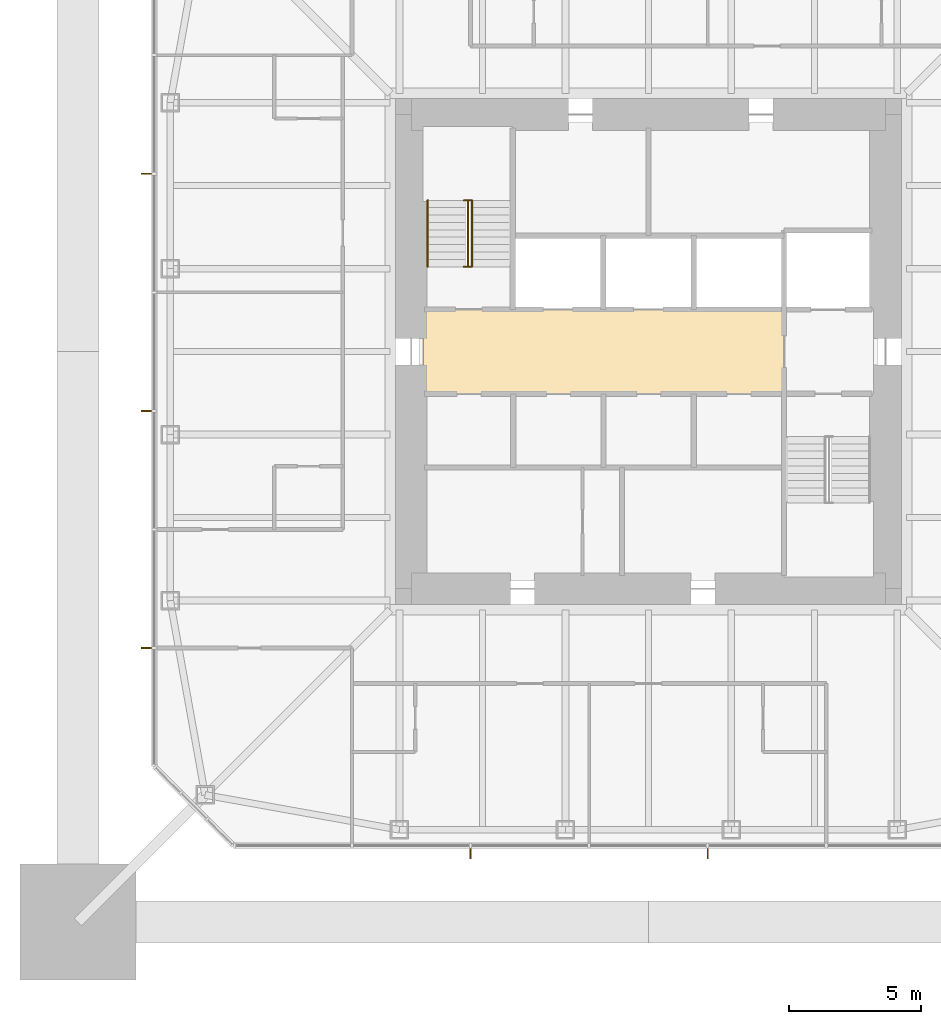
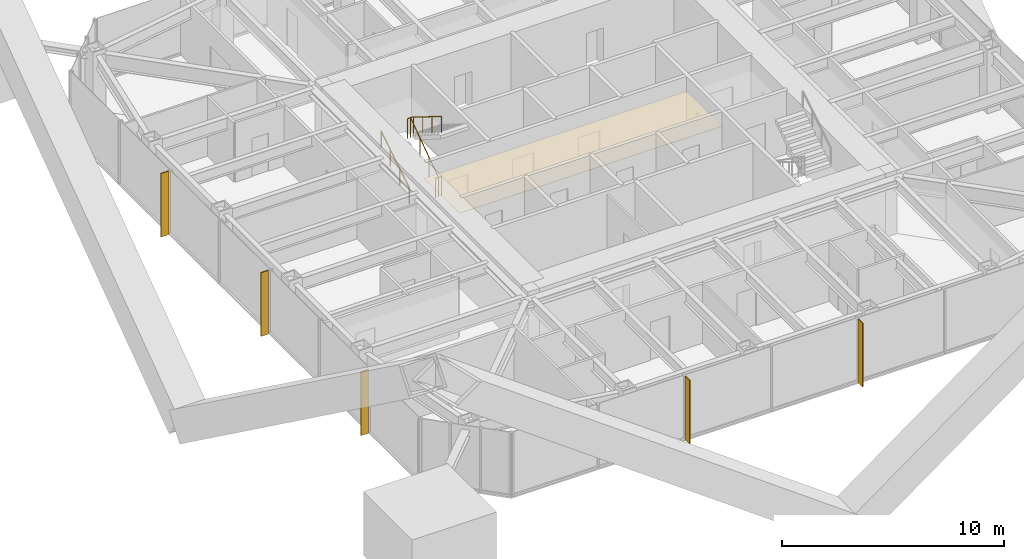
# One storey, part 11 of 13: 5 shading devices, 3 railings, 1 covering.
"""IFC4 building model written with IfcOpenShell, lengths in metres."""

from ifc_helpers import new_model, si_unit, direction, frame, origin, origin_2d, place, context, subcontext, project, spatial, polyline, rectangle, circle, outline, extrude, material, layer, layer_set, constituent, constituent_set, type_object, element, save


model = new_model("IFC4")

# Units and contexts
model_context = context("Model", 3, precision=1e-05, world=origin(), true_north=direction((0.0, 1.0)))
body_context = subcontext(model_context, "Body", "Model", "MODEL_VIEW")
ifc_project = project(units=[si_unit("LENGTHUNIT", "METRE"), si_unit("AREAUNIT", "SQUARE_METRE"), si_unit("VOLUMEUNIT", "CUBIC_METRE"), si_unit("PLANEANGLEUNIT", "RADIAN"), si_unit("MASSUNIT", "GRAM", prefix="KILO")], contexts=[model_context])

# Site, building, storey
site_placement = place(None, origin())
site = spatial("IfcSite", under=ifc_project, at=site_placement, CompositionType="ELEMENT")
building_placement = place(site_placement, origin())
building = spatial("IfcBuilding", under=site, at=building_placement, Name="Iwan Alto Co-Living Towers", CompositionType="ELEMENT")
storey_placement = place(building_placement, frame((0.0, 0.0, 198.5)))
storey = spatial("IfcBuildingStorey", under=building, at=storey_placement, Name="L54", CompositionType="ELEMENT", Elevation=198.5)

# Covering
ifc_material_1 = material(Name="Mineral fibre acoustic tiles on steel grid", Category="steel")
ifc_layer_1 = layer(ifc_material_1, 0.02001953125)
ifc_layer_set_1 = layer_set([ifc_layer_1], Name="ACOUSTIC TILE CEILING 20")
covering_type = type_object("IfcCoveringType", Name="ACOUSTIC TILE CEILING 20", PredefinedType="CEILING", material=ifc_layer_set_1)
covering_placement = place(storey_placement, frame((0.0, 0.0, 2.60009765625)))
element("IfcCovering", 1, at=covering_placement, inside=storey, type_object=covering_type, Name="Ceiling Lift lobby L54", PredefinedType="CEILING", context=body_context, shape_type="SweptSolid", body=[
    extrude(outline(polyline([(-8.550048828125, -1.60009765625), (-8.550048828125, 1.60009765625), (5.14990234375, 1.60009765625), (5.14990234375, -1.60009765625), (-8.550048828125, -1.60009765625)])), origin(), (0.0, 0.0, 1.0), 0.02001953125),
])

# Shading devices
ifc_material_2 = material(Name="Aluminium 6063-T6 bronze anodised", Category="aluminium")
ifc_layer_2 = layer(ifc_material_2, 0.050048828125)
ifc_layer_set_2 = layer_set([ifc_layer_2], Name="BRONZE FIN 50X400")
shading_device_type = type_object("IfcShadingDeviceType", Name="BRONZE FIN 50X400", PredefinedType="USERDEFINED", material=ifc_layer_set_2)
for number, where, z_axis, x_axis, name in (
    (2, (-6.75, -19.050048828125, 0.0), (0.0, 0.0, 1.0), (1.0, 0.0, 0.0), "Bronze fin L54"),
    (3, (2.25, -19.050048828125, 0.0), (0.0, 0.0, 1.0), (1.0, 0.0, 0.0), "Bronze fin L54"),
    (4, (-19.050048828125, 6.75, 0.0), (0.0, 0.0, 1.0), (0.0, -1.0, 0.0), "Bronze fin L54"),
    (5, (-19.050048828125, -2.25, 0.0), (0.0, 0.0, 1.0), (0.0, -1.0, 0.0), "Bronze fin L54"),
    (6, (-19.050048828125, -11.25, 0.0), (0.0, 0.0, 1.0), (0.0, -1.0, 0.0), "Bronze fin L54"),
):
    element("IfcShadingDevice", number, at=place(storey_placement, frame(where, z_axis=z_axis, x_axis=x_axis)), inside=storey, type_object=shading_device_type, Name=name, ObjectType="LOUVER", PredefinedType="USERDEFINED", context=body_context, shape_type="SweptSolid", body=[
        extrude(rectangle(XDim=0.050048828125, YDim=0.39990234375, at=origin_2d()), origin(), (0.0, 0.0, 1.0), 3.5),
    ])

# Railings
ifc_material_3 = material(Name="Steel ASTM A500 Gr C", Category="steel")
ifc_constituent_1 = constituent(ifc_material_3, Name="Rails and posts", Category="Framing")
ifc_material_4 = material(Name="Steel ASTM A36", Category="steel")
ifc_constituent_2 = constituent(ifc_material_4, Name="Bar infill", Category="Infill")
ifc_constituent_set = constituent_set(constituents=[ifc_constituent_1, ifc_constituent_2], Name="STAIR GUARD 1100")
railing_type_1 = type_object("IfcRailingType", Name="STAIR GUARD 1100", PredefinedType="GUARDRAIL", material=ifc_constituent_set)
railing_1_placement = place(storey_placement, frame((-6.85009765625, 3.219970703125, 0.0)))
element("IfcRailing", 7, at=railing_1_placement, inside=storey, type_object=railing_type_1, Name="Stair T1-S1 well guard L54", PredefinedType="GUARDRAIL", context=body_context, shape_type="SweptSolid", body=[
    extrude(circle(Radius=0.02392578125, at=origin_2d()), frame((0.0, 0.0, 1.076171875), z_axis=(0.0, 0.821372036852, 0.570392826987), x_axis=(-1.0, 0.0, 0.0)), (0.0, 0.0, 1.0), 3.068115234375),
    extrude(circle(Radius=0.02392578125, at=origin_2d()), frame((-0.14990234375, 0.0, 1.076171875), z_axis=(1.0, 0.0, 0.0), x_axis=(0.0, 1.0, 0.0)), (0.0, 0.0, 1.0), 0.300048828125),
    extrude(circle(Radius=0.02392578125, at=origin_2d()), frame((-0.14990234375, 2.52001953125, 2.826171875), z_axis=(1.0, 0.0, 0.0), x_axis=(0.0, 1.0, 0.0)), (0.0, 0.0, 1.0), 0.300048828125),
    extrude(circle(Radius=0.02099609375, at=origin_2d()), origin(), (0.0, 0.0, 1.0), 1.052001953125),
    extrude(circle(Radius=0.02099609375, at=origin_2d()), frame((0.0, 0.840087890625, 0.583251953125)), (0.0, 0.0, 1.0), 1.052001953125),
    extrude(circle(Radius=0.02099609375, at=origin_2d()), frame((0.0, 1.679931640625, 1.166748046875)), (0.0, 0.0, 1.0), 1.052001953125),
    extrude(circle(Radius=0.02099609375, at=origin_2d()), frame((0.0, 2.52001953125, 1.75)), (0.0, 0.0, 1.0), 1.052001953125),
    extrude(circle(Radius=0.02099609375, at=origin_2d()), frame((-0.14990234375, 0.0, 0.0)), (0.0, 0.0, 1.0), 1.052001953125),
    extrude(circle(Radius=0.02099609375, at=origin_2d()), frame((0.150146484375, 0.0, 0.0)), (0.0, 0.0, 1.0), 1.052001953125),
    extrude(circle(Radius=0.02099609375, at=origin_2d()), frame((-0.14990234375, 2.52001953125, 1.75)), (0.0, 0.0, 1.0), 1.052001953125),
    extrude(circle(Radius=0.02099609375, at=origin_2d()), frame((0.150146484375, 2.52001953125, 1.75)), (0.0, 0.0, 1.0), 1.052001953125),
])
ifc_material_5 = material(Name="Steel ASTM A500 Gr C", Category="steel")
railing_type_2 = type_object("IfcRailingType", Name="STAIR HANDRAIL 900", PredefinedType="HANDRAIL", material=ifc_material_5)
railing_2_placement = place(storey_placement, frame((-8.3798828125, 3.219970703125, 0.175048828125)))
element("IfcRailing", 8, at=railing_2_placement, inside=storey, type_object=railing_type_2, Name="Stair T1-S1 handrail 1 L54", PredefinedType="HANDRAIL", context=body_context, shape_type="SweptSolid", body=[
    extrude(circle(Radius=0.02392578125, at=origin_2d()), frame((0.0, 0.0, 0.8759765625), z_axis=(0.0, 0.848007534815, 0.529984170421), x_axis=(-1.0, 0.0, 0.0)), (0.0, 0.0, 1.0), 2.9716796875),
    extrude(circle(Radius=0.02099609375, at=origin_2d()), origin(), (0.0, 0.0, 1.0), 0.851806640625),
    extrude(circle(Radius=0.02099609375, at=origin_2d()), frame((0.0, 0.840087890625, 0.52490234375)), (0.0, 0.0, 1.0), 0.851806640625),
    extrude(circle(Radius=0.02099609375, at=origin_2d()), frame((0.0, 1.679931640625, 1.050048828125)), (0.0, 0.0, 1.0), 0.851806640625),
    extrude(circle(Radius=0.02099609375, at=origin_2d()), frame((0.0, 2.52001953125, 1.574951171875)), (0.0, 0.0, 1.0), 0.851806640625),
])
railing_3_placement = place(storey_placement, frame((-6.699951171875, 5.739990234375, 1.925048828125)))
element("IfcRailing", 9, at=railing_3_placement, inside=storey, type_object=railing_type_2, Name="Stair T1-S1 handrail 2 L54", PredefinedType="HANDRAIL", context=body_context, shape_type="SweptSolid", body=[
    extrude(circle(Radius=0.02392578125, at=origin_2d()), frame((0.0, 0.0, 0.8759765625), z_axis=(0.0, -0.848007534815, 0.529984170421), x_axis=(1.0, 0.0, 0.0)), (0.0, 0.0, 1.0), 2.9716796875),
    extrude(circle(Radius=0.02099609375, at=origin_2d()), origin(), (0.0, 0.0, 1.0), 0.851806640625),
    extrude(circle(Radius=0.02099609375, at=origin_2d()), frame((0.0, -0.840087890625, 0.52490234375)), (0.0, 0.0, 1.0), 0.851806640625),
    extrude(circle(Radius=0.02099609375, at=origin_2d()), frame((0.0, -1.679931640625, 1.050048828125)), (0.0, 0.0, 1.0), 0.851806640625),
    extrude(circle(Radius=0.02099609375, at=origin_2d()), frame((0.0, -2.52001953125, 1.574951171875)), (0.0, 0.0, 1.0), 0.851806640625),
])

save(model, "model.ifc")
